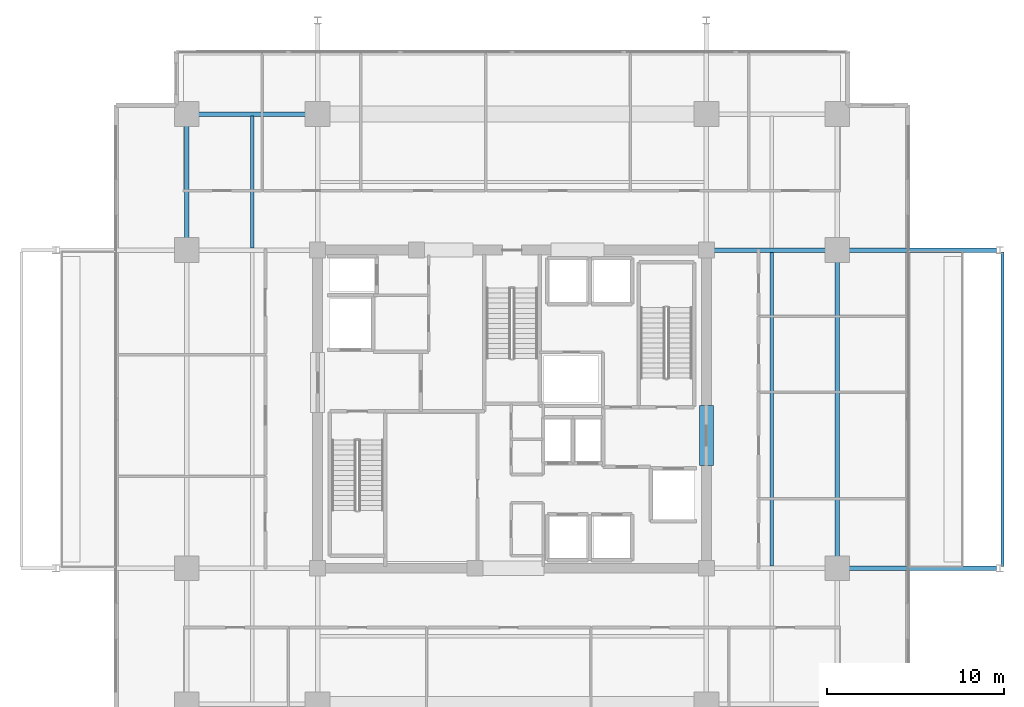
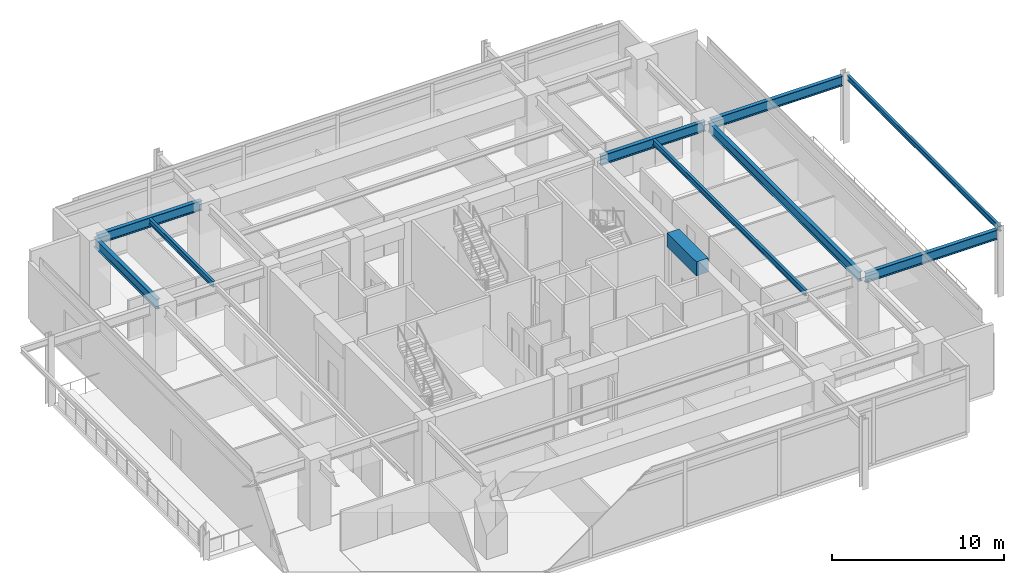
# One storey, part 6 of 19: 10 beams.
"""IFC4 building model written with IfcOpenShell, lengths in metres."""

from ifc_helpers import new_model, si_unit, direction, frame, origin, origin_2d, place, context, subcontext, project, spatial, rectangle, i_section, extrude, material, material_profile, profile_set, type_object, element, save


model = new_model("IFC4")

# Units and contexts
model_context = context("Model", 3, precision=1e-05, world=origin(), true_north=direction((0.0, 1.0)))
body_context = subcontext(model_context, "Body", "Model", "MODEL_VIEW")
ifc_project = project(units=[si_unit("LENGTHUNIT", "METRE"), si_unit("AREAUNIT", "SQUARE_METRE"), si_unit("VOLUMEUNIT", "CUBIC_METRE"), si_unit("PLANEANGLEUNIT", "RADIAN"), si_unit("MASSUNIT", "GRAM", prefix="KILO")], contexts=[model_context])

# Site, building, storey
site_placement = place(None, origin())
site = spatial("IfcSite", under=ifc_project, at=site_placement, CompositionType="ELEMENT")
building_placement = place(site_placement, origin())
building = spatial("IfcBuilding", under=site, at=building_placement, Name="Kovane Verandah Tower", CompositionType="ELEMENT")
storey_placement = place(building_placement, frame((0.0, 0.0, 200.199951171875)))
storey = spatial("IfcBuildingStorey", under=building, at=storey_placement, Name="L46", CompositionType="ELEMENT", Elevation=200.199951171875)

# Beams
ifc_material_1 = material(Name="Concrete C60/75", Category="concrete")
ifc_material_profile_1 = material_profile(ifc_material_1, rectangle(XDim=0.800048828125, YDim=1.0, at=origin_2d()), Name="RCB800x1000")
ifc_profile_set_1 = profile_set([ifc_material_profile_1], Name="Concrete C60/75")
beam_type_1 = type_object("IfcBeamType", Name="BM-LINTEL-800x1000", PredefinedType="LINTEL", material=ifc_profile_set_1)
beam_1_placement = place(storey_placement, frame((51.0, 24.300048828125, 4.275146484375), z_axis=(0.0, 1.0, 0.0), x_axis=(-1.0, 0.0, 0.0)))
element("IfcBeam", 1, at=beam_1_placement, inside=storey, type_object=beam_type_1, Name="L46 Core Coupling Lintel CL-E", PredefinedType="LINTEL", context=body_context, shape_type="SweptSolid", body=[
    extrude(rectangle(XDim=0.800048828125, YDim=1.0, at=origin_2d()), origin(), (0.0, 0.0, 1.0), 3.39990234375),
])
ifc_material_2 = material(Name="Steel S355", Category="steel")
ifc_material_profile_2 = material_profile(ifc_material_2, i_section(OverallWidth=0.255859375, OverallDepth=0.69287109375, WebThickness=0.014404296875, FlangeThickness=0.023681640625, FilletRadius=0.01513671875, at=origin_2d()), Name="UB686x254x170")
ifc_profile_set_2 = profile_set([ifc_material_profile_2], Name="Steel S355")
beam_type_2 = type_object("IfcBeamType", Name="BM-UB686x170", PredefinedType="BEAM", material=ifc_profile_set_2)
beam_2_placement = place(storey_placement, frame((21.780029296875, 44.199951171875, 4.428466796875), z_axis=(1.0, 0.0, 0.0), x_axis=(0.0, 1.0, 0.0)))
element("IfcBeam", 2, at=beam_2_placement, inside=storey, type_object=beam_type_2, Name="L46 Primary Tower Girder G-RN1", PredefinedType="BEAM", context=body_context, shape_type="SweptSolid", body=[
    extrude(i_section(OverallWidth=0.255859375, OverallDepth=0.69287109375, WebThickness=0.014404296875, FlangeThickness=0.023681640625, FilletRadius=0.01513671875, at=origin_2d()), origin(), (0.0, 0.0, 1.0), 7.0400390625),
])
beam_3_placement = place(storey_placement, frame((21.60009765625, 36.679931640625, 4.428466796875), z_axis=(0.0, 1.0, 0.0), x_axis=(-1.0, 0.0, 0.0)))
element("IfcBeam", 3, at=beam_3_placement, inside=storey, type_object=beam_type_2, Name="L46 Primary Tower Girder G-RW3", PredefinedType="BEAM", context=body_context, shape_type="SweptSolid", body=[
    extrude(i_section(OverallWidth=0.255859375, OverallDepth=0.69287109375, WebThickness=0.014404296875, FlangeThickness=0.023681640625, FilletRadius=0.01513671875, at=origin_2d()), origin(), (0.0, 0.0, 1.0), 7.340087890625),
])
beam_4_placement = place(storey_placement, frame((58.39990234375, 18.679931640625, 4.428466796875), z_axis=(0.0, 1.0, 0.0), x_axis=(-1.0, 0.0, 0.0)))
element("IfcBeam", 4, at=beam_4_placement, inside=storey, type_object=beam_type_2, Name="L46 Primary Tower Girder G-RE2", PredefinedType="BEAM", context=body_context, shape_type="SweptSolid", body=[
    extrude(i_section(OverallWidth=0.255859375, OverallDepth=0.69287109375, WebThickness=0.014404296875, FlangeThickness=0.023681640625, FilletRadius=0.01513671875, at=origin_2d()), origin(), (0.0, 0.0, 1.0), 17.64013671875),
])
beam_5_placement = place(storey_placement, frame((51.179931640625, 36.5, 4.428466796875), z_axis=(1.0, 0.0, 0.0), x_axis=(0.0, 1.0, 0.0)))
element("IfcBeam", 5, at=beam_5_placement, inside=storey, type_object=beam_type_2, Name="L46 Primary Tower Girder G-E2", PredefinedType="BEAM", context=body_context, shape_type="SweptSolid", body=[
    extrude(i_section(OverallWidth=0.255859375, OverallDepth=0.69287109375, WebThickness=0.014404296875, FlangeThickness=0.023681640625, FilletRadius=0.01513671875, at=origin_2d()), origin(), (0.0, 0.0, 1.0), 7.0400390625),
])
for number, where, z_axis, x_axis, name in (
    (6, (58.580078125, 18.5, 4.41357421875), (1.0, 0.0, 0.0), (0.0, 1.0, 0.0), "L46 Primary Tower Girder G-VE1"),
    (7, (58.580078125, 36.5, 4.41357421875), (1.0, 0.0, 0.0), (0.0, 1.0, 0.0), "L46 Primary Tower Girder G-VE2"),
):
    element("IfcBeam", number, at=place(storey_placement, frame(where, z_axis=z_axis, x_axis=x_axis)), inside=storey, type_object=beam_type_2, Name=name, PredefinedType="BEAM", context=body_context, shape_type="SweptSolid", body=[
        extrude(i_section(OverallWidth=0.255859375, OverallDepth=0.69287109375, WebThickness=0.014404296875, FlangeThickness=0.023681640625, FilletRadius=0.01513671875, at=origin_2d()), origin(), (0.0, 0.0, 1.0), 8.83984375),
    ])
ifc_material_profile_3 = material_profile(ifc_material_2, i_section(OverallWidth=0.179443359375, OverallDepth=0.412841796875, WebThickness=0.009521484375, FlangeThickness=0.01611328125, FilletRadius=0.01025390625, at=origin_2d()), Name="UB406x178x74")
ifc_profile_set_3 = profile_set([ifc_material_profile_3], Name="Steel S355")
beam_type_3 = type_object("IfcBeamType", Name="JST-UB406x74", PredefinedType="JOIST", material=ifc_profile_set_3)
beam_6_placement = place(storey_placement, frame((54.699951171875, 18.6259765625, 4.568603515625), z_axis=(0.0, 1.0, 0.0), x_axis=(-1.0, 0.0, 0.0)))
element("IfcBeam", 8, at=beam_6_placement, inside=storey, type_object=beam_type_3, Name="L46 Secondary Composite Joist J-E1", PredefinedType="JOIST", context=body_context, shape_type="SweptSolid", body=[
    extrude(i_section(OverallWidth=0.179443359375, OverallDepth=0.412841796875, WebThickness=0.009521484375, FlangeThickness=0.01611328125, FilletRadius=0.01025390625, at=origin_2d()), origin(), (0.0, 0.0, 1.0), 17.748046875),
])
beam_7_placement = place(storey_placement, frame((25.300048828125, 36.6259765625, 4.568603515625), z_axis=(0.0, 1.0, 0.0), x_axis=(-1.0, 0.0, 0.0)))
element("IfcBeam", 9, at=beam_7_placement, inside=storey, type_object=beam_type_3, Name="L46 Secondary Composite Joist J-NW1", PredefinedType="JOIST", context=body_context, shape_type="SweptSolid", body=[
    extrude(i_section(OverallWidth=0.179443359375, OverallDepth=0.412841796875, WebThickness=0.009521484375, FlangeThickness=0.01611328125, FilletRadius=0.01025390625, at=origin_2d()), origin(), (0.0, 0.0, 1.0), 7.4482421875),
])
ifc_material_profile_4 = material_profile(ifc_material_2, i_section(OverallWidth=0.173095703125, OverallDepth=0.36328125, WebThickness=0.009033203125, FlangeThickness=0.015625, FilletRadius=0.01025390625, at=origin_2d()), Name="UB356x171x67")
ifc_profile_set_4 = profile_set([ifc_material_profile_4], Name="Steel S355")
beam_type_4 = type_object("IfcBeamType", Name="SPD-UB356x67", PredefinedType="USERDEFINED", material=ifc_profile_set_4)
beam_8_placement = place(storey_placement, frame((67.75, 18.594482421875, 4.578369140625), z_axis=(0.0, 1.0, 0.0), x_axis=(-1.0, 0.0, 0.0)))
element("IfcBeam", 10, at=beam_8_placement, inside=storey, type_object=beam_type_4, Name="L46 East Planter Edge Spandrel", ObjectType="SPANDREL", PredefinedType="USERDEFINED", context=body_context, shape_type="SweptSolid", body=[
    extrude(i_section(OverallWidth=0.173095703125, OverallDepth=0.36328125, WebThickness=0.009033203125, FlangeThickness=0.015625, FilletRadius=0.01025390625, at=origin_2d()), origin(), (0.0, 0.0, 1.0), 17.81103515625),
])

save(model, "model.ifc")
